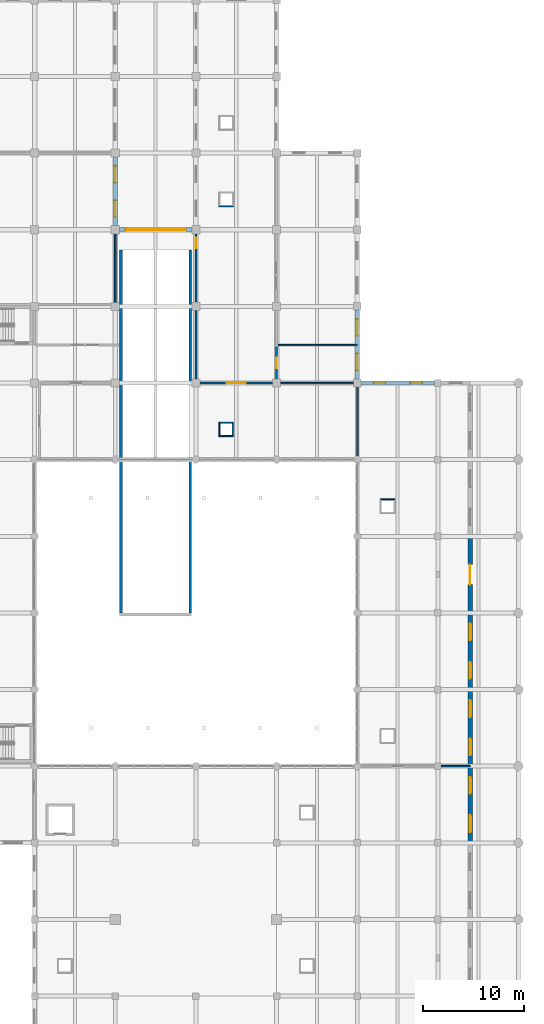
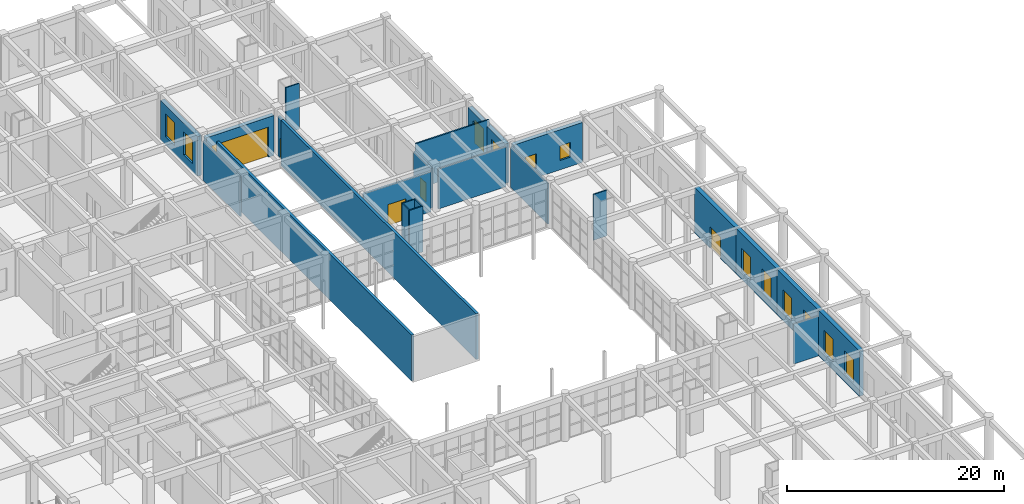
# One storey, part 82 of 95: 25 walls, 12 windows, 5 doors, 17 openings.
"""IFC4 building model written with IfcOpenShell, lengths in metres."""

from ifc_helpers import new_model, si_unit, direction, frame, frame_2d, origin, place, context, subcontext, project, spatial, rectangle, extrude, material, layer, layer_set, type_object, element, fill, save


model = new_model("IFC4")

# Units and contexts
model_context = context("Model", 3, precision=1e-05, world=origin(), true_north=direction((0.0, 1.0)))
body_context = subcontext(model_context, "Body", "Model", "MODEL_VIEW")
ifc_project = project(units=[si_unit("LENGTHUNIT", "METRE"), si_unit("AREAUNIT", "SQUARE_METRE"), si_unit("VOLUMEUNIT", "CUBIC_METRE"), si_unit("PLANEANGLEUNIT", "RADIAN"), si_unit("MASSUNIT", "GRAM", prefix="KILO")], contexts=[model_context])

# Site, building, storey
site_placement = place(None, origin())
site = spatial("IfcSite", under=ifc_project, at=site_placement, CompositionType="ELEMENT")
building_placement = place(site_placement, origin())
building = spatial("IfcBuilding", under=site, at=building_placement, Name="Zantavel Square City Hall", CompositionType="ELEMENT")
storey_placement = place(building_placement, origin())
storey = spatial("IfcBuildingStorey", under=building, at=storey_placement, Name="L01", CompositionType="ELEMENT", Elevation=0.0)

# Walls
ifc_material_1 = material(Name="Concrete C35/45", Category="concrete")
ifc_layer_1 = layer(ifc_material_1, 0.280029296875, Name="Concrete C35/45")
ifc_layer_set_1 = layer_set([ifc_layer_1], Name="Concrete C35/45")
wall_type_1 = type_object("IfcWallType", Name="Archive & Substation Vault Wall 280mm", PredefinedType="STANDARD", material=ifc_layer_set_1)
for number, where, z_axis, x_axis, name in (
    (1, (128.56005859375, 53.199951171875, 0.0), (0.0, 0.0, 1.0), (0.0, 1.0, 0.0), "L01 Vehicle Ramp Shaft Wall W"),
    (2, (135.43994140625, 89.199951171875, 0.0), (0.0, 0.0, 1.0), (0.0, -1.0, 0.0), "L01 Vehicle Ramp Shaft Wall E"),
):
    element("IfcWall", number, at=place(storey_placement, frame(where, z_axis=z_axis, x_axis=x_axis)), inside=storey, type_object=wall_type_1, Name=name, PredefinedType="STANDARD", context=body_context, shape_type="SweptSolid", body=[
        extrude(rectangle(XDim=36.0, YDim=0.280029296875, at=frame_2d((18.0, 0.0))), origin(), (0.0, 0.0, 1.0), 5.159912109375),
    ])
ifc_material_2 = material(Name="Gypsum acoustic stud assembly", Category="masonry")
ifc_layer_2 = layer(ifc_material_2, 0.14990234375, Name="Gypsum acoustic stud assembly")
ifc_layer_set_2 = layer_set([ifc_layer_2], Name="Gypsum acoustic stud assembly")
wall_type_2 = type_object("IfcWallType", Name="Department Office Partition 150mm", PredefinedType="PARTITIONING", material=ifc_layer_set_2)
wall_1_placement = place(storey_placement, frame((128.0, 90.7900390625, 0.0), z_axis=(0.0, 0.0, 1.0), x_axis=(0.0, -1.0, 0.0)))
element("IfcWall", 3, at=wall_1_placement, inside=storey, type_object=wall_type_2, Name="L01 Interior Wall IW-L01-0111", PredefinedType="PARTITIONING", context=body_context, shape_type="SweptSolid", body=[
    extrude(rectangle(XDim=6.780029296875, YDim=0.14990234375, at=frame_2d((3.39013671875, 0.0))), origin(), (0.0, 0.0, 1.0), 4.4599609375),
])
wall_2_placement = place(storey_placement, frame((152.0, 79.75, 0.0), z_axis=(0.0, 0.0, 1.0), x_axis=(-1.0, 0.0, 0.0)))
element("IfcWall", 4, at=wall_2_placement, inside=storey, type_object=wall_type_2, Name="L01 Interior Wall IW-L01-0113", PredefinedType="PARTITIONING", context=body_context, shape_type="SweptSolid", body=[
    extrude(rectangle(XDim=7.85009765625, YDim=0.14990234375, at=frame_2d((3.925048828125, 0.0))), origin(), (0.0, 0.0, 1.0), 5.159912109375),
])
wall_3_placement = place(storey_placement, frame((160.3349609375, 38.0, 0.0), z_axis=(0.0, 0.0, 1.0), x_axis=(1.0, 0.0, 0.0)))
element("IfcWall", 5, at=wall_3_placement, inside=storey, type_object=wall_type_2, Name="L01 Interior Wall IW-L01-0131", PredefinedType="PARTITIONING", context=body_context, shape_type="SweptSolid", body=[
    extrude(rectangle(XDim=2.864990234375, YDim=0.14990234375, at=frame_2d((1.4326171875, 0.0))), origin(), (0.0, 0.0, 1.0), 4.5),
])
wall_4_placement = place(storey_placement, frame((152.0, 68.784912109375, 0.0), z_axis=(0.0, 0.0, 1.0), x_axis=(0.0, 1.0, 0.0)))
element("IfcWall", 6, at=wall_4_placement, inside=storey, type_object=wall_type_2, Name="L01 Interior Wall IW-L01-0133", PredefinedType="PARTITIONING", context=body_context, shape_type="SweptSolid", body=[
    extrude(rectangle(XDim=6.830078125, YDim=0.14990234375, at=frame_2d((3.4150390625, 0.0))), origin(), (0.0, 0.0, 1.0), 4.580078125),
])
wall_5_placement = place(storey_placement, frame((144.409912109375, 76.0, 0.0), z_axis=(0.0, 0.0, 1.0), x_axis=(1.0, 0.0, 0.0)))
element("IfcWall", 7, at=wall_5_placement, inside=storey, type_object=wall_type_2, Name="L01 Interior Wall IW-L01-0134", PredefinedType="PARTITIONING", context=body_context, shape_type="SweptSolid", body=[
    extrude(rectangle(XDim=7.205078125, YDim=0.14990234375, at=frame_2d((3.6025390625, 0.0))), origin(), (0.0, 0.0, 1.0), 4.510009765625),
])

# Wall, opening, door
ifc_material_3 = material(Name="Cantera volcanic tuff stone", Category="masonry")
ifc_layer_3 = layer(ifc_material_3, 0.199951171875, Name="Cantera volcanic tuff stone")
ifc_layer_set_3 = layer_set([ifc_layer_3], Name="Cantera volcanic tuff stone")
wall_type_3 = type_object("IfcWallType", Name="Exit Corridor Rated Wall 200mm", PredefinedType="STANDARD", material=ifc_layer_set_3)
wall_6_placement = place(storey_placement, frame((143.590087890625, 76.0, 0.0), z_axis=(0.0, 0.0, 1.0), x_axis=(-1.0, 0.0, 0.0)))
wall_6 = element("IfcWall", 8, at=wall_6_placement, inside=storey, type_object=wall_type_3, Name="L01 Interior Wall IW-L01-0083", PredefinedType="STANDARD", context=body_context, shape_type="SweptSolid", body=[
    extrude(rectangle(XDim=7.18017578125, YDim=0.199951171875, at=frame_2d((3.590087890625, 0.0))), origin(), (0.0, 0.0, 1.0), 4.510009765625),
])
opening_1_placement = place(wall_6_placement, frame((2.639892578125, 0.0, 0.0)))
opening_1 = element("IfcOpeningElement", 9, at=opening_1_placement, cuts=wall_6, Name="Opening D-0037", PredefinedType="OPENING", context=body_context, shape_type="SweptSolid", body=[
    extrude(rectangle(XDim=1.89990234375, YDim=2.39990234375, at=frame_2d((0.949951171875, 1.199951171875))), frame((0.0, 0.10986328125, 0.0), z_axis=(0.0, -1.0, 0.0), x_axis=(1.0, 0.0, 0.0)), (0.0, 0.0, 1.0), 0.219970703125),
])
ifc_material_4 = material(Name="Solid oak hardwood", Category="wood")
door_type_1 = type_object("IfcDoorType", Name="Civic Hall Oak Fire Double Door 1900x2400 FD60S", OperationType="NOTDEFINED", PredefinedType="DOOR", material=ifc_material_4)
door_1_placement = place(opening_1_placement, origin())
door_1 = element("IfcDoor", 10, at=door_1_placement, inside=storey, type_object=door_type_1, Name="L01 Civil Registry Counter Suite Door", OperationType="DOUBLE_DOOR_SINGLE_SWING", OverallHeight=2.39990234375, OverallWidth=1.89990234375, PredefinedType="DOOR", context=body_context, shape_type="SweptSolid", body=[
    extrude(rectangle(XDim=1.89990234375, YDim=2.39990234375, at=frame_2d((0.949951171875, 1.199951171875))), frame((0.0, 0.02490234375, 0.0), z_axis=(0.0, -1.0, 0.0), x_axis=(1.0, 0.0, 0.0)), (0.0, 0.0, 1.0), 0.050048828125),
])
fill(opening_1, door_1)

# Wall
wall_7_placement = place(storey_placement, frame((136.0, 76.409912109375, 0.0), z_axis=(0.0, 0.0, 1.0), x_axis=(0.0, 1.0, 0.0)))
element("IfcWall", 11, at=wall_7_placement, inside=storey, type_object=wall_type_3, Name="L01 Interior Wall IW-L01-0084", PredefinedType="STANDARD", context=body_context, shape_type="SweptSolid", body=[
    extrude(rectangle(XDim=6.780029296875, YDim=0.199951171875, at=frame_2d((3.39013671875, 0.0))), origin(), (0.0, 0.0, 1.0), 4.4599609375),
])

# Wall, opening, door
wall_8_placement = place(storey_placement, frame((136.0, 84.010009765625, 0.0), z_axis=(0.0, 0.0, 1.0), x_axis=(0.0, 1.0, 0.0)))
wall_8 = element("IfcWall", 12, at=wall_8_placement, inside=storey, type_object=wall_type_3, Name="L01 Interior Wall IW-L01-0085", PredefinedType="STANDARD", context=body_context, shape_type="SweptSolid", body=[
    extrude(rectangle(XDim=6.780029296875, YDim=0.199951171875, at=frame_2d((3.39013671875, 0.0))), origin(), (0.0, 0.0, 1.0), 4.4599609375),
])
opening_2_placement = place(wall_8_placement, frame((5.364990234375, 0.0, 0.0)))
opening_2 = element("IfcOpeningElement", 13, at=opening_2_placement, cuts=wall_8, Name="Opening D-0038", PredefinedType="OPENING", context=body_context, shape_type="SweptSolid", body=[
    extrude(rectangle(XDim=1.050048828125, YDim=2.14990234375, at=frame_2d((0.52490234375, 1.074951171875))), frame((0.0, 0.10986328125, 0.0), z_axis=(0.0, -1.0, 0.0), x_axis=(1.0, 0.0, 0.0)), (0.0, 0.0, 1.0), 0.219970703125),
])
door_type_2 = type_object("IfcDoorType", Name="Corridor Office Oak Fire Door 1050x2150 FD60S", OperationType="NOTDEFINED", PredefinedType="DOOR", material=ifc_material_4)
door_2_placement = place(opening_2_placement, origin())
door_2 = element("IfcDoor", 14, at=door_2_placement, inside=storey, type_object=door_type_2, Name="L01 L01 Municipal Support Office 3 Door", OperationType="SINGLE_SWING_RIGHT", OverallHeight=2.14990234375, OverallWidth=1.050048828125, PredefinedType="DOOR", context=body_context, shape_type="SweptSolid", body=[
    extrude(rectangle(XDim=1.050048828125, YDim=2.14990234375, at=frame_2d((0.52490234375, 1.074951171875))), frame((0.0, 0.02490234375, 0.0), z_axis=(0.0, -1.0, 0.0), x_axis=(1.0, 0.0, 0.0)), (0.0, 0.0, 1.0), 0.050048828125),
])
fill(opening_2, door_2)

wall_9_placement = place(storey_placement, frame((144.0, 79.60009765625, 0.0), z_axis=(0.0, 0.0, 1.0), x_axis=(0.0, -1.0, 0.0)))
wall_9 = element("IfcWall", 15, at=wall_9_placement, inside=storey, type_object=wall_type_3, Name="L01 Interior Wall IW-L01-0086", PredefinedType="STANDARD", context=body_context, shape_type="SweptSolid", body=[
    extrude(rectangle(XDim=3.190185546875, YDim=0.199951171875, at=frame_2d((1.59521484375, 0.0))), origin(), (0.0, 0.0, 1.0), 4.4599609375),
])
opening_3_placement = place(wall_9_placement, frame((1.070068359375, 0.0, 0.0)))
opening_3 = element("IfcOpeningElement", 16, at=opening_3_placement, cuts=wall_9, Name="Opening D-0039", PredefinedType="OPENING", context=body_context, shape_type="SweptSolid", body=[
    extrude(rectangle(XDim=1.050048828125, YDim=2.14990234375, at=frame_2d((0.52490234375, 1.074951171875))), frame((0.0, 0.10986328125, 0.0), z_axis=(0.0, -1.0, 0.0), x_axis=(1.0, 0.0, 0.0)), (0.0, 0.0, 1.0), 0.219970703125),
])
door_3_placement = place(opening_3_placement, origin())
door_3 = element("IfcDoor", 17, at=door_3_placement, inside=storey, type_object=door_type_2, Name="L01 L01 Municipal Support Office 6 Door", OperationType="SINGLE_SWING_LEFT", OverallHeight=2.14990234375, OverallWidth=1.050048828125, PredefinedType="DOOR", context=body_context, shape_type="SweptSolid", body=[
    extrude(rectangle(XDim=1.050048828125, YDim=2.14990234375, at=frame_2d((0.52490234375, 1.074951171875))), frame((0.0, 0.02490234375, 0.0), z_axis=(0.0, -1.0, 0.0), x_axis=(1.0, 0.0, 0.0)), (0.0, 0.0, 1.0), 0.050048828125),
])
fill(opening_3, door_3)

# Walls
ifc_layer_4 = layer(ifc_material_1, 0.1201171875, Name="Concrete C35/45")
ifc_layer_set_4 = layer_set([ifc_layer_4], Name="Concrete C35/45")
wall_type_4 = type_object("IfcWallType", Name="Riser Chase Wall RC 120mm C35/45", PredefinedType="PARTITIONING", material=ifc_layer_set_4)
for number, where, z_axis, x_axis, name in (
    (18, (154.280029296875, 64.4599609375, 0.0), (0.0, 0.0, 1.0), (1.0, 0.0, 0.0), "L01 MEP Riser 12 Wall N"),
    (19, (139.719970703125, 70.739990234375, 0.0), (0.0, 0.0, 1.0), (-1.0, 0.0, 0.0), "L01 MEP Riser 13 Wall S"),
):
    element("IfcWall", number, at=place(storey_placement, frame(where, z_axis=z_axis, x_axis=x_axis)), inside=storey, type_object=wall_type_4, Name=name, PredefinedType="PARTITIONING", context=body_context, shape_type="SweptSolid", body=[
        extrude(rectangle(XDim=1.43994140625, YDim=0.1201171875, at=frame_2d((0.719970703125, 0.0))), origin(), (0.0, 0.0, 1.0), 5.159912109375),
    ])
wall_10_placement = place(storey_placement, frame((138.340087890625, 70.800048828125, 0.0), z_axis=(0.0, 0.0, 1.0), x_axis=(0.0, 1.0, 0.0)))
element("IfcWall", 20, at=wall_10_placement, inside=storey, type_object=wall_type_4, Name="L01 MEP Riser 13 Wall W", PredefinedType="PARTITIONING", context=body_context, shape_type="SweptSolid", body=[
    extrude(rectangle(XDim=1.199951171875, YDim=0.1201171875, at=frame_2d((0.60009765625, 0.0))), origin(), (0.0, 0.0, 1.0), 5.159912109375),
])
wall_11_placement = place(storey_placement, frame((138.280029296875, 72.06005859375, 0.0), z_axis=(0.0, 0.0, 1.0), x_axis=(1.0, 0.0, 0.0)))
element("IfcWall", 21, at=wall_11_placement, inside=storey, type_object=wall_type_4, Name="L01 MEP Riser 13 Wall N", PredefinedType="PARTITIONING", context=body_context, shape_type="SweptSolid", body=[
    extrude(rectangle(XDim=1.43994140625, YDim=0.1201171875, at=frame_2d((0.719970703125, 0.0))), origin(), (0.0, 0.0, 1.0), 5.159912109375),
])
wall_12_placement = place(storey_placement, frame((139.659912109375, 72.0, 0.0), z_axis=(0.0, 0.0, 1.0), x_axis=(0.0, -1.0, 0.0)))
element("IfcWall", 22, at=wall_12_placement, inside=storey, type_object=wall_type_4, Name="L01 MEP Riser 13 Wall E", PredefinedType="PARTITIONING", context=body_context, shape_type="SweptSolid", body=[
    extrude(rectangle(XDim=1.199951171875, YDim=0.1201171875, at=frame_2d((0.60009765625, 0.0))), origin(), (0.0, 0.0, 1.0), 5.159912109375),
])
wall_13_placement = place(storey_placement, frame((139.719970703125, 93.5400390625, 0.0), z_axis=(0.0, 0.0, 1.0), x_axis=(-1.0, 0.0, 0.0)))
element("IfcWall", 23, at=wall_13_placement, inside=storey, type_object=wall_type_4, Name="L01 MEP Riser 22 Wall S", PredefinedType="PARTITIONING", context=body_context, shape_type="SweptSolid", body=[
    extrude(rectangle(XDim=1.43994140625, YDim=0.1201171875, at=frame_2d((0.719970703125, 0.0))), origin(), (0.0, 0.0, 1.0), 5.159912109375),
])

# Wall, openings, windows
ifc_material_5 = material(Name="Tezontle volcanic basaltic scoria stone", Category="masonry")
ifc_layer_5 = layer(ifc_material_5, 0.43994140625, Name="Tezontle volcanic basaltic scoria stone")
ifc_layer_set_5 = layer_set([ifc_layer_5], Name="Tezontle volcanic basaltic scoria stone")
wall_type_5 = type_object("IfcWallType", Name="Tezontle Rusticated Plinth Wall 440mm", PredefinedType="STANDARD", material=ifc_layer_set_5)
wall_14_placement = place(storey_placement, frame((128.0, 98.39990234375, 0.0), z_axis=(0.0, 0.0, 1.0), x_axis=(0.0, -1.0, 0.0)))
wall_14 = element("IfcWall", 24, at=wall_14_placement, inside=storey, type_object=wall_type_5, Name="L01 Exterior Wall EW-L01-040", PredefinedType="STANDARD", context=body_context, shape_type="SweptSolid", body=[
    extrude(rectangle(XDim=6.7998046875, YDim=0.43994140625, at=frame_2d((3.39990234375, 0.0))), origin(), (0.0, 0.0, 1.0), 4.4599609375),
])
opening_4_placement = place(wall_14_placement, frame((0.875, 0.0, 0.89990234375)))
opening_4 = element("IfcOpeningElement", 25, at=opening_4_placement, cuts=wall_14, Name="Opening W-058", PredefinedType="OPENING", context=body_context, shape_type="SweptSolid", body=[
    extrude(rectangle(XDim=1.64990234375, YDim=2.60009765625, at=frame_2d((0.824951171875, 1.300048828125))), frame((0.0, 0.22998046875, 0.0), z_axis=(0.0, -1.0, 0.0), x_axis=(1.0, 0.0, 0.0)), (0.0, 0.0, 1.0), 0.4599609375),
])
opening_5_placement = place(wall_14_placement, frame((4.27490234375, 0.0, 0.89990234375)))
opening_5 = element("IfcOpeningElement", 26, at=opening_5_placement, cuts=wall_14, Name="Opening W-059", PredefinedType="OPENING", context=body_context, shape_type="SweptSolid", body=[
    extrude(rectangle(XDim=1.64990234375, YDim=2.60009765625, at=frame_2d((0.824951171875, 1.300048828125))), frame((0.0, 0.22998046875, 0.0), z_axis=(0.0, -1.0, 0.0), x_axis=(1.0, 0.0, 0.0)), (0.0, 0.0, 1.0), 0.4599609375),
])
ifc_material_6 = material(Name="Tempered safety glass low-E double glazing", Category="glass")
window_type_1 = type_object("IfcWindowType", Name="Window Ground Civic Tall 1650x2600", PartitioningType="DOUBLE_PANEL_VERTICAL", PredefinedType="WINDOW", material=ifc_material_6)
window_1_placement = place(opening_4_placement, origin())
window_1 = element("IfcWindow", 27, at=window_1_placement, inside=storey, type_object=window_type_1, Name="L01 Window W-058", OverallHeight=2.60009765625, OverallWidth=1.64990234375, PartitioningType="DOUBLE_PANEL_VERTICAL", PredefinedType="WINDOW", context=body_context, shape_type="SweptSolid", body=[
    extrude(rectangle(XDim=1.64990234375, YDim=2.60009765625, at=frame_2d((0.824951171875, 1.300048828125))), frame((0.0, 0.030029296875, 0.0), z_axis=(0.0, -1.0, 0.0), x_axis=(1.0, 0.0, 0.0)), (0.0, 0.0, 1.0), 0.06005859375),
])
fill(opening_4, window_1)
window_2_placement = place(opening_5_placement, origin())
window_2 = element("IfcWindow", 28, at=window_2_placement, inside=storey, type_object=window_type_1, Name="L01 Window W-059", OverallHeight=2.60009765625, OverallWidth=1.64990234375, PartitioningType="DOUBLE_PANEL_VERTICAL", PredefinedType="WINDOW", context=body_context, shape_type="SweptSolid", body=[
    extrude(rectangle(XDim=1.64990234375, YDim=2.60009765625, at=frame_2d((0.824951171875, 1.300048828125))), frame((0.0, 0.030029296875, 0.0), z_axis=(0.0, -1.0, 0.0), x_axis=(1.0, 0.0, 0.0)), (0.0, 0.0, 1.0), 0.06005859375),
])
fill(opening_5, window_2)

# Wall, opening, door
wall_15_placement = place(storey_placement, frame((128.39990234375, 91.199951171875, 0.0), z_axis=(0.0, 0.0, 1.0), x_axis=(1.0, 0.0, 0.0)))
wall_15 = element("IfcWall", 29, at=wall_15_placement, inside=storey, type_object=wall_type_5, Name="L01 Exterior Wall EW-L01-041", PredefinedType="STANDARD", context=body_context, shape_type="SweptSolid", body=[
    extrude(rectangle(XDim=7.2001953125, YDim=0.43994140625, at=frame_2d((3.60009765625, 0.0))), origin(), (0.0, 0.0, 1.0), 4.510009765625),
])
opening_6_placement = place(wall_15_placement, frame((0.60009765625, 0.0, 0.0)))
opening_6 = element("IfcOpeningElement", 30, at=opening_6_placement, cuts=wall_15, Name="Opening RG-01", PredefinedType="OPENING", context=body_context, shape_type="SweptSolid", body=[
    extrude(rectangle(XDim=6.0, YDim=3.39990234375, at=frame_2d((3.0, 1.699951171875))), frame((0.0, 0.22998046875, 0.0), z_axis=(0.0, -1.0, 0.0), x_axis=(1.0, 0.0, 0.0)), (0.0, 0.0, 1.0), 0.4599609375),
])
ifc_material_7 = material(Name="Steel ASTM A500 Grade B", Category="steel")
door_type_3 = type_object("IfcDoorType", Name="Car Park Ramp Roller Shutter Gate 6000x3400", OperationType="NOTDEFINED", PredefinedType="GATE", material=ifc_material_7)
door_4_placement = place(opening_6_placement, origin())
door_4 = element("IfcDoor", 31, at=door_4_placement, inside=storey, type_object=door_type_3, Name="Subterranean Car Park Vehicle Ramp Shutter Gate RG-01", OperationType="ROLLINGUP", OverallHeight=3.39990234375, OverallWidth=6.0, PredefinedType="GATE", context=body_context, shape_type="SweptSolid", body=[
    extrude(rectangle(XDim=6.0, YDim=3.39990234375, at=frame_2d((3.0, 1.699951171875))), frame((0.0, 0.02490234375, 0.0), z_axis=(0.0, -1.0, 0.0), x_axis=(1.0, 0.0, 0.0)), (0.0, 0.0, 1.0), 0.050048828125),
])
fill(opening_6, door_4)

# Wall, openings, windows
wall_16_placement = place(storey_placement, frame((152.0, 83.22509765625, 0.0), z_axis=(0.0, 0.0, 1.0), x_axis=(0.0, -1.0, 0.0)))
wall_16 = element("IfcWall", 32, at=wall_16_placement, inside=storey, type_object=wall_type_5, Name="L01 Exterior Wall EW-L01-051", PredefinedType="STANDARD", context=body_context, shape_type="SweptSolid", body=[
    extrude(rectangle(XDim=6.85009765625, YDim=0.43994140625, at=frame_2d((3.425048828125, 0.0))), origin(), (0.0, 0.0, 1.0), 4.4599609375),
])
opening_7_placement = place(wall_16_placement, frame((0.887451171875, 0.0, 0.89990234375)))
opening_7 = element("IfcOpeningElement", 33, at=opening_7_placement, cuts=wall_16, Name="Opening W-076", PredefinedType="OPENING", context=body_context, shape_type="SweptSolid", body=[
    extrude(rectangle(XDim=1.64990234375, YDim=2.60009765625, at=frame_2d((0.824951171875, 1.300048828125))), frame((0.0, 0.22998046875, 0.0), z_axis=(0.0, -1.0, 0.0), x_axis=(1.0, 0.0, 0.0)), (0.0, 0.0, 1.0), 0.4599609375),
])
opening_8_placement = place(wall_16_placement, frame((4.3125, 0.0, 0.89990234375)))
opening_8 = element("IfcOpeningElement", 34, at=opening_8_placement, cuts=wall_16, Name="Opening W-077", PredefinedType="OPENING", context=body_context, shape_type="SweptSolid", body=[
    extrude(rectangle(XDim=1.64990234375, YDim=2.60009765625, at=frame_2d((0.824951171875, 1.300048828125))), frame((0.0, 0.22998046875, 0.0), z_axis=(0.0, -1.0, 0.0), x_axis=(1.0, 0.0, 0.0)), (0.0, 0.0, 1.0), 0.4599609375),
])
window_3_placement = place(opening_7_placement, origin())
window_3 = element("IfcWindow", 35, at=window_3_placement, inside=storey, type_object=window_type_1, Name="L01 Window W-076", OverallHeight=2.60009765625, OverallWidth=1.64990234375, PartitioningType="DOUBLE_PANEL_VERTICAL", PredefinedType="WINDOW", context=body_context, shape_type="SweptSolid", body=[
    extrude(rectangle(XDim=1.64990234375, YDim=2.60009765625, at=frame_2d((0.824951171875, 1.300048828125))), frame((0.0, 0.030029296875, 0.0), z_axis=(0.0, -1.0, 0.0), x_axis=(1.0, 0.0, 0.0)), (0.0, 0.0, 1.0), 0.06005859375),
])
fill(opening_7, window_3)
window_4_placement = place(opening_8_placement, origin())
window_4 = element("IfcWindow", 36, at=window_4_placement, inside=storey, type_object=window_type_1, Name="L01 Window W-077", OverallHeight=2.60009765625, OverallWidth=1.64990234375, PartitioningType="DOUBLE_PANEL_VERTICAL", PredefinedType="WINDOW", context=body_context, shape_type="SweptSolid", body=[
    extrude(rectangle(XDim=1.64990234375, YDim=2.60009765625, at=frame_2d((0.824951171875, 1.300048828125))), frame((0.0, 0.030029296875, 0.0), z_axis=(0.0, -1.0, 0.0), x_axis=(1.0, 0.0, 0.0)), (0.0, 0.0, 1.0), 0.06005859375),
])
fill(opening_8, window_4)

wall_17_placement = place(storey_placement, frame((152.375, 76.0, 0.0), z_axis=(0.0, 0.0, 1.0), x_axis=(1.0, 0.0, 0.0)))
wall_17 = element("IfcWall", 37, at=wall_17_placement, inside=storey, type_object=wall_type_5, Name="L01 Exterior Wall EW-L01-052", PredefinedType="STANDARD", context=body_context, shape_type="SweptSolid", body=[
    extrude(rectangle(XDim=7.300048828125, YDim=0.43994140625, at=frame_2d((3.64990234375, 0.0))), origin(), (0.0, 0.0, 1.0), 4.510009765625),
])
opening_9_placement = place(wall_17_placement, frame((1.25, 0.0, 1.050048828125)))
opening_9 = element("IfcOpeningElement", 38, at=opening_9_placement, cuts=wall_17, Name="Opening W-078", PredefinedType="OPENING", context=body_context, shape_type="SweptSolid", body=[
    extrude(rectangle(XDim=1.14990234375, YDim=1.64990234375, at=frame_2d((0.574951171875, 0.824951171875))), frame((0.0, 0.22998046875, 0.0), z_axis=(0.0, -1.0, 0.0), x_axis=(1.0, 0.0, 0.0)), (0.0, 0.0, 1.0), 0.4599609375),
])
opening_10_placement = place(wall_17_placement, frame((4.89990234375, 0.0, 1.050048828125)))
opening_10 = element("IfcOpeningElement", 39, at=opening_10_placement, cuts=wall_17, Name="Opening W-079", PredefinedType="OPENING", context=body_context, shape_type="SweptSolid", body=[
    extrude(rectangle(XDim=1.14990234375, YDim=1.64990234375, at=frame_2d((0.574951171875, 0.824951171875))), frame((0.0, 0.22998046875, 0.0), z_axis=(0.0, -1.0, 0.0), x_axis=(1.0, 0.0, 0.0)), (0.0, 0.0, 1.0), 0.4599609375),
])
window_type_2 = type_object("IfcWindowType", Name="Window Ground North Compact 1150x1650", PartitioningType="SINGLE_PANEL", PredefinedType="WINDOW", material=ifc_material_6)
window_5_placement = place(opening_9_placement, origin())
window_5 = element("IfcWindow", 40, at=window_5_placement, inside=storey, type_object=window_type_2, Name="L01 Window W-078", OverallHeight=1.64990234375, OverallWidth=1.14990234375, PartitioningType="SINGLE_PANEL", PredefinedType="WINDOW", context=body_context, shape_type="SweptSolid", body=[
    extrude(rectangle(XDim=1.14990234375, YDim=1.64990234375, at=frame_2d((0.574951171875, 0.824951171875))), frame((0.0, 0.030029296875, 0.0), z_axis=(0.0, -1.0, 0.0), x_axis=(1.0, 0.0, 0.0)), (0.0, 0.0, 1.0), 0.06005859375),
])
fill(opening_9, window_5)
window_6_placement = place(opening_10_placement, origin())
window_6 = element("IfcWindow", 41, at=window_6_placement, inside=storey, type_object=window_type_2, Name="L01 Window W-079", OverallHeight=1.64990234375, OverallWidth=1.14990234375, PartitioningType="SINGLE_PANEL", PredefinedType="WINDOW", context=body_context, shape_type="SweptSolid", body=[
    extrude(rectangle(XDim=1.14990234375, YDim=1.64990234375, at=frame_2d((0.574951171875, 0.824951171875))), frame((0.0, 0.030029296875, 0.0), z_axis=(0.0, -1.0, 0.0), x_axis=(1.0, 0.0, 0.0)), (0.0, 0.0, 1.0), 0.06005859375),
])
fill(opening_10, window_6)

# Wall, opening, door
wall_18_placement = place(storey_placement, frame((163.199951171875, 60.800048828125, 0.0), z_axis=(0.0, 0.0, 1.0), x_axis=(0.0, -1.0, 0.0)))
wall_18 = element("IfcWall", 42, at=wall_18_placement, inside=storey, type_object=wall_type_5, Name="L01 Exterior Wall EW-L01-056", PredefinedType="STANDARD", context=body_context, shape_type="SweptSolid", body=[
    extrude(rectangle(XDim=7.60009765625, YDim=0.43994140625, at=frame_2d((3.800048828125, 0.0))), origin(), (0.0, 0.0, 1.0), 5.1201171875),
])
opening_11_placement = place(wall_18_placement, frame((2.800048828125, 0.0, 0.0)))
opening_11 = element("IfcOpeningElement", 43, at=opening_11_placement, cuts=wall_18, Name="Opening ED-008", PredefinedType="OPENING", context=body_context, shape_type="SweptSolid", body=[
    extrude(rectangle(XDim=2.0, YDim=2.39990234375, at=frame_2d((1.0, 1.199951171875))), frame((0.0, 0.22998046875, 0.0), z_axis=(0.0, -1.0, 0.0), x_axis=(1.0, 0.0, 0.0)), (0.0, 0.0, 1.0), 0.4599609375),
])
ifc_material_8 = material(Name="Anodised aluminium 6063-T6", Category="aluminium")
door_type_4 = type_object("IfcDoorType", Name="Plaza Final Exit Double Door 2000x2400", OperationType="NOTDEFINED", PredefinedType="DOOR", material=ifc_material_8)
door_5_placement = place(opening_11_placement, origin())
door_5 = element("IfcDoor", 44, at=door_5_placement, inside=storey, type_object=door_type_4, Name="East Treasury Cashiers Portales Exit", OperationType="DOUBLE_DOOR_SINGLE_SWING", OverallHeight=2.39990234375, OverallWidth=2.0, PredefinedType="DOOR", context=body_context, shape_type="SweptSolid", body=[
    extrude(rectangle(XDim=2.0, YDim=2.39990234375, at=frame_2d((1.0, 1.199951171875))), frame((0.0, 0.02490234375, 0.0), z_axis=(0.0, -1.0, 0.0), x_axis=(1.0, 0.0, 0.0)), (0.0, 0.0, 1.0), 0.050048828125),
])
fill(opening_11, door_5)

# Wall, openings, windows
wall_19_placement = place(storey_placement, frame((163.199951171875, 53.199951171875, 0.0), z_axis=(0.0, 0.0, 1.0), x_axis=(0.0, -1.0, 0.0)))
wall_19 = element("IfcWall", 45, at=wall_19_placement, inside=storey, type_object=wall_type_5, Name="L01 Exterior Wall EW-L01-057", PredefinedType="STANDARD", context=body_context, shape_type="SweptSolid", body=[
    extrude(rectangle(XDim=7.599853515625, YDim=0.43994140625, at=frame_2d((3.7998046875, 0.0))), origin(), (0.0, 0.0, 1.0), 5.1201171875),
])
opening_12_placement = place(wall_19_placement, frame((1.074951171875, 0.0, 0.89990234375)))
opening_12 = element("IfcOpeningElement", 46, at=opening_12_placement, cuts=wall_19, Name="Opening W-085", PredefinedType="OPENING", context=body_context, shape_type="SweptSolid", body=[
    extrude(rectangle(XDim=1.64990234375, YDim=2.60009765625, at=frame_2d((0.824951171875, 1.300048828125))), frame((0.0, 0.22998046875, 0.0), z_axis=(0.0, -1.0, 0.0), x_axis=(1.0, 0.0, 0.0)), (0.0, 0.0, 1.0), 0.4599609375),
])
opening_13_placement = place(wall_19_placement, frame((4.875, 0.0, 0.89990234375)))
opening_13 = element("IfcOpeningElement", 47, at=opening_13_placement, cuts=wall_19, Name="Opening W-086", PredefinedType="OPENING", context=body_context, shape_type="SweptSolid", body=[
    extrude(rectangle(XDim=1.64990234375, YDim=2.60009765625, at=frame_2d((0.824951171875, 1.300048828125))), frame((0.0, 0.22998046875, 0.0), z_axis=(0.0, -1.0, 0.0), x_axis=(1.0, 0.0, 0.0)), (0.0, 0.0, 1.0), 0.4599609375),
])
window_7_placement = place(opening_12_placement, origin())
window_7 = element("IfcWindow", 48, at=window_7_placement, inside=storey, type_object=window_type_1, Name="L01 Window W-085", OverallHeight=2.60009765625, OverallWidth=1.64990234375, PartitioningType="DOUBLE_PANEL_VERTICAL", PredefinedType="WINDOW", context=body_context, shape_type="SweptSolid", body=[
    extrude(rectangle(XDim=1.64990234375, YDim=2.60009765625, at=frame_2d((0.824951171875, 1.300048828125))), frame((0.0, 0.030029296875, 0.0), z_axis=(0.0, -1.0, 0.0), x_axis=(1.0, 0.0, 0.0)), (0.0, 0.0, 1.0), 0.06005859375),
])
fill(opening_12, window_7)
window_8_placement = place(opening_13_placement, origin())
window_8 = element("IfcWindow", 49, at=window_8_placement, inside=storey, type_object=window_type_1, Name="L01 Window W-086", OverallHeight=2.60009765625, OverallWidth=1.64990234375, PartitioningType="DOUBLE_PANEL_VERTICAL", PredefinedType="WINDOW", context=body_context, shape_type="SweptSolid", body=[
    extrude(rectangle(XDim=1.64990234375, YDim=2.60009765625, at=frame_2d((0.824951171875, 1.300048828125))), frame((0.0, 0.030029296875, 0.0), z_axis=(0.0, -1.0, 0.0), x_axis=(1.0, 0.0, 0.0)), (0.0, 0.0, 1.0), 0.06005859375),
])
fill(opening_13, window_8)

wall_20_placement = place(storey_placement, frame((163.199951171875, 45.60009765625, 0.0), z_axis=(0.0, 0.0, 1.0), x_axis=(0.0, -1.0, 0.0)))
wall_20 = element("IfcWall", 50, at=wall_20_placement, inside=storey, type_object=wall_type_5, Name="L01 Exterior Wall EW-L01-058", PredefinedType="STANDARD", context=body_context, shape_type="SweptSolid", body=[
    extrude(rectangle(XDim=7.60009765625, YDim=0.43994140625, at=frame_2d((3.800048828125, 0.0))), origin(), (0.0, 0.0, 1.0), 5.1201171875),
])
opening_14_placement = place(wall_20_placement, frame((1.074951171875, 0.0, 0.89990234375)))
opening_14 = element("IfcOpeningElement", 51, at=opening_14_placement, cuts=wall_20, Name="Opening W-087", PredefinedType="OPENING", context=body_context, shape_type="SweptSolid", body=[
    extrude(rectangle(XDim=1.64990234375, YDim=2.60009765625, at=frame_2d((0.824951171875, 1.300048828125))), frame((0.0, 0.22998046875, 0.0), z_axis=(0.0, -1.0, 0.0), x_axis=(1.0, 0.0, 0.0)), (0.0, 0.0, 1.0), 0.4599609375),
])
opening_15_placement = place(wall_20_placement, frame((4.875, 0.0, 0.89990234375)))
opening_15 = element("IfcOpeningElement", 52, at=opening_15_placement, cuts=wall_20, Name="Opening W-088", PredefinedType="OPENING", context=body_context, shape_type="SweptSolid", body=[
    extrude(rectangle(XDim=1.64990234375, YDim=2.60009765625, at=frame_2d((0.824951171875, 1.300048828125))), frame((0.0, 0.22998046875, 0.0), z_axis=(0.0, -1.0, 0.0), x_axis=(1.0, 0.0, 0.0)), (0.0, 0.0, 1.0), 0.4599609375),
])
window_9_placement = place(opening_14_placement, origin())
window_9 = element("IfcWindow", 53, at=window_9_placement, inside=storey, type_object=window_type_1, Name="L01 Window W-087", OverallHeight=2.60009765625, OverallWidth=1.64990234375, PartitioningType="DOUBLE_PANEL_VERTICAL", PredefinedType="WINDOW", context=body_context, shape_type="SweptSolid", body=[
    extrude(rectangle(XDim=1.64990234375, YDim=2.60009765625, at=frame_2d((0.824951171875, 1.300048828125))), frame((0.0, 0.030029296875, 0.0), z_axis=(0.0, -1.0, 0.0), x_axis=(1.0, 0.0, 0.0)), (0.0, 0.0, 1.0), 0.06005859375),
])
fill(opening_14, window_9)
window_10_placement = place(opening_15_placement, origin())
window_10 = element("IfcWindow", 54, at=window_10_placement, inside=storey, type_object=window_type_1, Name="L01 Window W-088", OverallHeight=2.60009765625, OverallWidth=1.64990234375, PartitioningType="DOUBLE_PANEL_VERTICAL", PredefinedType="WINDOW", context=body_context, shape_type="SweptSolid", body=[
    extrude(rectangle(XDim=1.64990234375, YDim=2.60009765625, at=frame_2d((0.824951171875, 1.300048828125))), frame((0.0, 0.030029296875, 0.0), z_axis=(0.0, -1.0, 0.0), x_axis=(1.0, 0.0, 0.0)), (0.0, 0.0, 1.0), 0.06005859375),
])
fill(opening_15, window_10)

wall_21_placement = place(storey_placement, frame((163.199951171875, 38.0, 0.0), z_axis=(0.0, 0.0, 1.0), x_axis=(0.0, -1.0, 0.0)))
wall_21 = element("IfcWall", 55, at=wall_21_placement, inside=storey, type_object=wall_type_5, Name="L01 Exterior Wall EW-L01-059", PredefinedType="STANDARD", context=body_context, shape_type="SweptSolid", body=[
    extrude(rectangle(XDim=7.60009765625, YDim=0.43994140625, at=frame_2d((3.800048828125, 0.0))), origin(), (0.0, 0.0, 1.0), 5.1201171875),
])
opening_16_placement = place(wall_21_placement, frame((1.074951171875, 0.0, 0.89990234375)))
opening_16 = element("IfcOpeningElement", 56, at=opening_16_placement, cuts=wall_21, Name="Opening W-089", PredefinedType="OPENING", context=body_context, shape_type="SweptSolid", body=[
    extrude(rectangle(XDim=1.64990234375, YDim=2.60009765625, at=frame_2d((0.824951171875, 1.300048828125))), frame((0.0, 0.22998046875, 0.0), z_axis=(0.0, -1.0, 0.0), x_axis=(1.0, 0.0, 0.0)), (0.0, 0.0, 1.0), 0.4599609375),
])
opening_17_placement = place(wall_21_placement, frame((4.875, 0.0, 0.89990234375)))
opening_17 = element("IfcOpeningElement", 57, at=opening_17_placement, cuts=wall_21, Name="Opening W-090", PredefinedType="OPENING", context=body_context, shape_type="SweptSolid", body=[
    extrude(rectangle(XDim=1.64990234375, YDim=2.60009765625, at=frame_2d((0.824951171875, 1.300048828125))), frame((0.0, 0.22998046875, 0.0), z_axis=(0.0, -1.0, 0.0), x_axis=(1.0, 0.0, 0.0)), (0.0, 0.0, 1.0), 0.4599609375),
])
window_11_placement = place(opening_16_placement, origin())
window_11 = element("IfcWindow", 58, at=window_11_placement, inside=storey, type_object=window_type_1, Name="L01 Window W-089", OverallHeight=2.60009765625, OverallWidth=1.64990234375, PartitioningType="DOUBLE_PANEL_VERTICAL", PredefinedType="WINDOW", context=body_context, shape_type="SweptSolid", body=[
    extrude(rectangle(XDim=1.64990234375, YDim=2.60009765625, at=frame_2d((0.824951171875, 1.300048828125))), frame((0.0, 0.030029296875, 0.0), z_axis=(0.0, -1.0, 0.0), x_axis=(1.0, 0.0, 0.0)), (0.0, 0.0, 1.0), 0.06005859375),
])
fill(opening_16, window_11)
window_12_placement = place(opening_17_placement, origin())
window_12 = element("IfcWindow", 59, at=window_12_placement, inside=storey, type_object=window_type_1, Name="L01 Window W-090", OverallHeight=2.60009765625, OverallWidth=1.64990234375, PartitioningType="DOUBLE_PANEL_VERTICAL", PredefinedType="WINDOW", context=body_context, shape_type="SweptSolid", body=[
    extrude(rectangle(XDim=1.64990234375, YDim=2.60009765625, at=frame_2d((0.824951171875, 1.300048828125))), frame((0.0, 0.030029296875, 0.0), z_axis=(0.0, -1.0, 0.0), x_axis=(1.0, 0.0, 0.0)), (0.0, 0.0, 1.0), 0.06005859375),
])
fill(opening_17, window_12)

save(model, "model.ifc")
